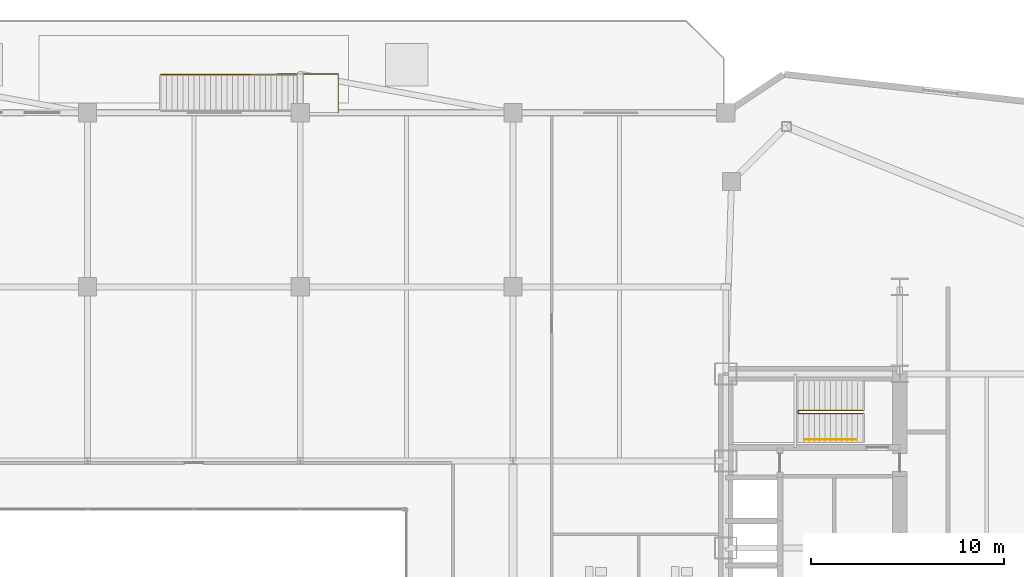
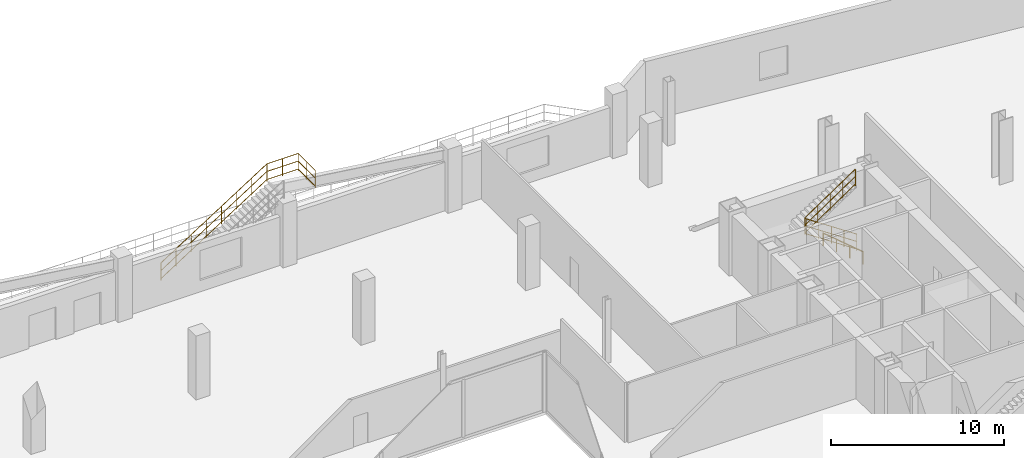
# One storey, part 24 of 25: 3 railings.
"""IFC4 building model written with IfcOpenShell, lengths in metres."""

from ifc_helpers import new_model, si_unit, direction, frame, origin, origin_2d, place, context, subcontext, project, spatial, circle, extrude, material, type_object, element, save


model = new_model("IFC4")

# Units and contexts
model_context = context("Model", 3, precision=1e-05, world=origin(), true_north=direction((0.0, 1.0)))
body_context = subcontext(model_context, "Body", "Model", "MODEL_VIEW")
ifc_project = project(units=[si_unit("LENGTHUNIT", "METRE"), si_unit("AREAUNIT", "SQUARE_METRE"), si_unit("VOLUMEUNIT", "CUBIC_METRE"), si_unit("PLANEANGLEUNIT", "RADIAN"), si_unit("MASSUNIT", "GRAM", prefix="KILO")], contexts=[model_context])

# Site, building, storey
site_placement = place(None, origin())
site = spatial("IfcSite", under=ifc_project, at=site_placement, CompositionType="ELEMENT")
building_placement = place(site_placement, origin())
building = spatial("IfcBuilding", under=site, at=building_placement, Name="Seokmaru Belvedere", CompositionType="ELEMENT")
storey_placement = place(building_placement, frame((0.0, 0.0, 5.39990234375)))
storey = spatial("IfcBuildingStorey", under=building, at=storey_placement, Name="L01", CompositionType="ELEMENT", Elevation=5.39990234375)

# Railings
ifc_material = material(Name="Stainless Steel 316", Category="steel")
railing_type_1 = type_object("IfcRailingType", Name="Podium Garden Terrace Guardrail 1250", PredefinedType="GUARDRAIL", material=ifc_material)
railing_1_placement = place(storey_placement, frame((-1.699951171875, 28.97998046875, 0.0)))
element("IfcRailing", 1, at=railing_1_placement, inside=storey, type_object=railing_type_1, Name="L01 Terrace Stair Outer Guardrail N2", PredefinedType="GUARDRAIL", context=body_context, shape_type="SweptSolid", body=[
    extrude(circle(Radius=0.02392578125, at=origin_2d()), frame((0.0, 0.0, 1.22607421875), z_axis=(0.844123489745, 0.00238518698, 0.536143492867), x_axis=(-0.002825626211, 0.99999600791, 0.0)), (0.0, 0.0, 1.0), 8.393310546875),
    extrude(circle(Radius=0.02392578125, at=origin_2d()), frame((0.0, 0.0, 0.1201171875), z_axis=(0.844123489745, 0.00238518698, 0.536143492867), x_axis=(-0.002825626211, 0.99999600791, 0.0)), (0.0, 0.0, 1.0), 8.393310546875),
    extrude(circle(Radius=0.02392578125, at=origin_2d()), frame((0.0, 0.0, 0.6875), z_axis=(0.844123489745, 0.00238518698, 0.536143492867), x_axis=(-0.002825626211, 0.99999600791, 0.0)), (0.0, 0.0, 1.0), 8.393310546875),
    extrude(circle(Radius=0.02392578125, at=origin_2d()), frame((7.0849609375, 0.02001953125, 5.72607421875), z_axis=(1.0, 0.0, 0.0), x_axis=(0.0, 1.0, 0.0)), (0.0, 0.0, 1.0), 2.080078125),
    extrude(circle(Radius=0.02392578125, at=origin_2d()), frame((7.0849609375, 0.02001953125, 4.6201171875), z_axis=(1.0, 0.0, 0.0), x_axis=(0.0, 1.0, 0.0)), (0.0, 0.0, 1.0), 2.080078125),
    extrude(circle(Radius=0.02392578125, at=origin_2d()), frame((7.0849609375, 0.02001953125, 5.1875), z_axis=(1.0, 0.0, 0.0), x_axis=(0.0, 1.0, 0.0)), (0.0, 0.0, 1.0), 2.080078125),
    extrude(circle(Radius=0.02392578125, at=origin_2d()), frame((9.1650390625, 0.02001953125, 5.72607421875), z_axis=(0.0, -1.0, 0.0), x_axis=(1.0, 0.0, 0.0)), (0.0, 0.0, 1.0), 1.97998046875),
    extrude(circle(Radius=0.02392578125, at=origin_2d()), frame((9.1650390625, 0.02001953125, 4.6201171875), z_axis=(0.0, -1.0, 0.0), x_axis=(1.0, 0.0, 0.0)), (0.0, 0.0, 1.0), 1.97998046875),
    extrude(circle(Radius=0.02392578125, at=origin_2d()), frame((9.1650390625, 0.02001953125, 5.1875), z_axis=(0.0, -1.0, 0.0), x_axis=(1.0, 0.0, 0.0)), (0.0, 0.0, 1.0), 1.97998046875),
    extrude(circle(Radius=0.02099609375, at=origin_2d()), origin(), (0.0, 0.0, 1.0), 1.201904296875),
    extrude(circle(Radius=0.02099609375, at=origin_2d()), frame((1.01220703125, 0.0029296875, 0.642822265625)), (0.0, 0.0, 1.0), 1.201904296875),
    extrude(circle(Radius=0.02099609375, at=origin_2d()), frame((2.024169921875, 0.005615234375, 1.28564453125)), (0.0, 0.0, 1.0), 1.201904296875),
    extrude(circle(Radius=0.02099609375, at=origin_2d()), frame((3.036376953125, 0.008544921875, 1.928466796875)), (0.0, 0.0, 1.0), 1.201904296875),
    extrude(circle(Radius=0.02099609375, at=origin_2d()), frame((4.048583984375, 0.011474609375, 2.571533203125)), (0.0, 0.0, 1.0), 1.201904296875),
    extrude(circle(Radius=0.02099609375, at=origin_2d()), frame((5.060791015625, 0.014404296875, 3.21435546875)), (0.0, 0.0, 1.0), 1.201904296875),
    extrude(circle(Radius=0.02099609375, at=origin_2d()), frame((6.07275390625, 0.01708984375, 3.857177734375)), (0.0, 0.0, 1.0), 1.201904296875),
    extrude(circle(Radius=0.02099609375, at=origin_2d()), frame((7.0849609375, 0.02001953125, 4.5)), (0.0, 0.0, 1.0), 1.201904296875),
    extrude(circle(Radius=0.02099609375, at=origin_2d()), frame((8.125, 0.02001953125, 4.5)), (0.0, 0.0, 1.0), 1.201904296875),
    extrude(circle(Radius=0.02099609375, at=origin_2d()), frame((9.1650390625, 0.02001953125, 4.5)), (0.0, 0.0, 1.0), 1.201904296875),
    extrude(circle(Radius=0.02099609375, at=origin_2d()), frame((9.1650390625, -0.969970703125, 4.5)), (0.0, 0.0, 1.0), 1.201904296875),
    extrude(circle(Radius=0.02099609375, at=origin_2d()), frame((9.1650390625, -1.9599609375, 4.5)), (0.0, 0.0, 1.0), 1.201904296875),
])
railing_type_2 = type_object("IfcRailingType", Name="Stainless Steel Wall and Flight Handrail 900", PredefinedType="HANDRAIL", material=ifc_material)
railing_2_placement = place(storey_placement, frame((34.25, 10.110107421875, 0.0)))
element("IfcRailing", 2, at=railing_2_placement, inside=storey, type_object=railing_type_2, Name="L01 Stair ST-E2 Wall Handrail", PredefinedType="HANDRAIL", context=body_context, shape_type="SweptSolid", body=[
    extrude(circle(Radius=0.02392578125, at=origin_2d()), frame((0.0, 0.0, 0.8759765625), z_axis=(-0.763484625413, 0.0, 0.64582600347), x_axis=(0.0, -1.0, 0.0)), (0.0, 0.0, 1.0), 3.48388671875),
    extrude(circle(Radius=0.02099609375, at=origin_2d()), origin(), (0.0, 0.0, 1.0), 0.851806640625),
    extrude(circle(Radius=0.02099609375, at=origin_2d()), frame((-0.88671875, 0.0, 0.75)), (0.0, 0.0, 1.0), 0.851806640625),
    extrude(circle(Radius=0.02099609375, at=origin_2d()), frame((-1.773193359375, 0.0, 1.5)), (0.0, 0.0, 1.0), 0.851806640625),
    extrude(circle(Radius=0.02099609375, at=origin_2d()), frame((-2.659912109375, 0.0, 2.25)), (0.0, 0.0, 1.0), 0.851806640625),
])
railing_type_3 = type_object("IfcRailingType", Name="Stair Well and Atrium Steel Guardrail 1200", PredefinedType="GUARDRAIL", material=ifc_material)
railing_3_placement = place(storey_placement, frame((34.60009765625, 11.4599609375, 0.0)))
element("IfcRailing", 3, at=railing_3_placement, inside=storey, type_object=railing_type_3, Name="L01 Stair ST-E2 Inner Well Guardrail", PredefinedType="GUARDRAIL", context=body_context, shape_type="SweptSolid", body=[
    extrude(circle(Radius=0.02392578125, at=origin_2d()), frame((0.0, 0.0, 1.17578125), z_axis=(-0.830915400975, 0.0, 0.556398774641), x_axis=(0.0, -1.0, 0.0)), (0.0, 0.0, 1.0), 4.0439453125),
    extrude(circle(Radius=0.02392578125, at=origin_2d()), frame((0.0, 0.0, 0.1201171875), z_axis=(-0.830915400975, 0.0, 0.556398774641), x_axis=(0.0, -1.0, 0.0)), (0.0, 0.0, 1.0), 4.0439453125),
    extrude(circle(Radius=0.02392578125, at=origin_2d()), frame((0.0, 0.0, 0.659912109375), z_axis=(-0.830915400975, 0.0, 0.556398774641), x_axis=(0.0, -1.0, 0.0)), (0.0, 0.0, 1.0), 4.0439453125),
    extrude(circle(Radius=0.02392578125, at=origin_2d()), frame((-3.360107421875, 0.0, 3.42578125), z_axis=(0.0, 1.0, 0.0), x_axis=(-1.0, 0.0, 0.0)), (0.0, 0.0, 1.0), 0.14013671875),
    extrude(circle(Radius=0.02392578125, at=origin_2d()), frame((-3.360107421875, 0.0, 2.3701171875), z_axis=(0.0, 1.0, 0.0), x_axis=(-1.0, 0.0, 0.0)), (0.0, 0.0, 1.0), 0.14013671875),
    extrude(circle(Radius=0.02392578125, at=origin_2d()), frame((-3.360107421875, 0.0, 2.909912109375), z_axis=(0.0, 1.0, 0.0), x_axis=(-1.0, 0.0, 0.0)), (0.0, 0.0, 1.0), 0.14013671875),
    extrude(circle(Radius=0.02392578125, at=origin_2d()), frame((-3.360107421875, 0.14013671875, 3.42578125), z_axis=(0.830915400975, 0.0, 0.556398774641), x_axis=(0.0, 1.0, 0.0)), (0.0, 0.0, 1.0), 4.0439453125),
    extrude(circle(Radius=0.02392578125, at=origin_2d()), frame((-3.360107421875, 0.14013671875, 2.3701171875), z_axis=(0.830915400975, 0.0, 0.556398774641), x_axis=(0.0, 1.0, 0.0)), (0.0, 0.0, 1.0), 4.0439453125),
    extrude(circle(Radius=0.02392578125, at=origin_2d()), frame((-3.360107421875, 0.14013671875, 2.909912109375), z_axis=(0.830915400975, 0.0, 0.556398774641), x_axis=(0.0, 1.0, 0.0)), (0.0, 0.0, 1.0), 4.0439453125),
    extrude(circle(Radius=0.02099609375, at=origin_2d()), origin(), (0.0, 0.0, 1.0), 1.15185546875),
    extrude(circle(Radius=0.02099609375, at=origin_2d()), frame((-0.840087890625, 0.0, 0.5625)), (0.0, 0.0, 1.0), 1.15185546875),
    extrude(circle(Radius=0.02099609375, at=origin_2d()), frame((-1.68017578125, 0.0, 1.125)), (0.0, 0.0, 1.0), 1.15185546875),
    extrude(circle(Radius=0.02099609375, at=origin_2d()), frame((-2.52001953125, 0.0, 1.6875)), (0.0, 0.0, 1.0), 1.15185546875),
    extrude(circle(Radius=0.02099609375, at=origin_2d()), frame((-3.360107421875, 0.0, 2.25)), (0.0, 0.0, 1.0), 1.15185546875),
    extrude(circle(Radius=0.02099609375, at=origin_2d()), frame((-3.360107421875, 0.14013671875, 2.25)), (0.0, 0.0, 1.0), 1.15185546875),
    extrude(circle(Radius=0.02099609375, at=origin_2d()), frame((-2.52001953125, 0.14013671875, 2.8125)), (0.0, 0.0, 1.0), 1.15185546875),
    extrude(circle(Radius=0.02099609375, at=origin_2d()), frame((-1.68017578125, 0.14013671875, 3.375)), (0.0, 0.0, 1.0), 1.15185546875),
    extrude(circle(Radius=0.02099609375, at=origin_2d()), frame((-0.840087890625, 0.14013671875, 3.9375)), (0.0, 0.0, 1.0), 1.15185546875),
    extrude(circle(Radius=0.02099609375, at=origin_2d()), frame((0.0, 0.14013671875, 4.5)), (0.0, 0.0, 1.0), 1.15185546875),
])

save(model, "model.ifc")
